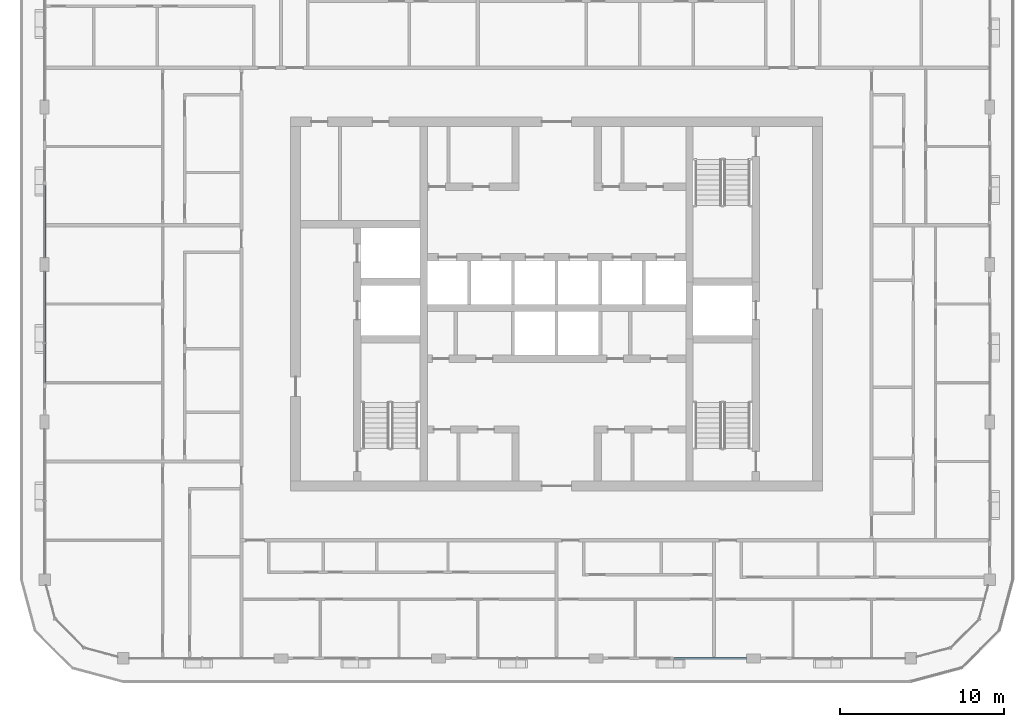
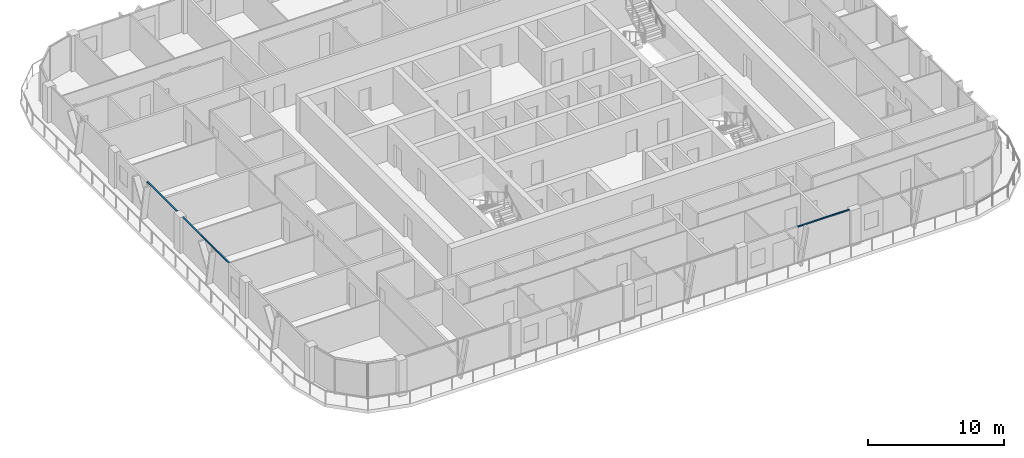
# One storey, part 3 of 21: 3 members, 3 elements without a shape of their own.
"""IFC4 building model written with IfcOpenShell, lengths in metres."""

from ifc_helpers import new_model, si_unit, direction, frame, origin, origin_2d, place, context, subcontext, project, spatial, rectangle, extrude, material, layer, layer_set, material_profile, profile_set, type_object, element, aggregate, save


model = new_model("IFC4")

# Units and contexts
model_context = context("Model", 3, precision=1e-05, world=origin(), true_north=direction((0.0, 1.0)))
body_context = subcontext(model_context, "Body", "Model", "MODEL_VIEW")
ifc_project = project(units=[si_unit("LENGTHUNIT", "METRE"), si_unit("AREAUNIT", "SQUARE_METRE"), si_unit("VOLUMEUNIT", "CUBIC_METRE"), si_unit("PLANEANGLEUNIT", "RADIAN"), si_unit("MASSUNIT", "GRAM", prefix="KILO")], contexts=[model_context])

# Site, building, storey
site_placement = place(None, origin())
site = spatial("IfcSite", under=ifc_project, at=site_placement, CompositionType="ELEMENT")
building_placement = place(site_placement, origin())
building = spatial("IfcBuilding", under=site, at=building_placement, Name="Madar Terraces", CompositionType="ELEMENT")
storey_placement = place(building_placement, frame((0.0, 0.0, 245.699951171875)))
storey = spatial("IfcBuildingStorey", under=building, at=storey_placement, Name="L64", CompositionType="ELEMENT", Elevation=245.699951171875)

# Curtain wall, member
ifc_material_1 = material(Name="Glass, ceramic frit dark grey, with black aluminium frame", Category="aluminium")
ifc_layer = layer(ifc_material_1, 0.199951171875)
ifc_layer_set = layer_set([ifc_layer], Name="Facade curtain wall, fritted glass")
curtain_wall_type = type_object("IfcCurtainWallType", Name="Facade curtain wall, fritted glass", PredefinedType="NOTDEFINED", material=ifc_layer_set)
curtain_wall_1_placement = place(storey_placement, origin())
curtain_wall_1 = element("IfcCurtainWall", 1, at=curtain_wall_1_placement, inside=storey, type_object=curtain_wall_type, Name="Outer skin curtain wall south bay 4", PredefinedType="NOTDEFINED")
ifc_material_2 = material(Name="Aluminium, black anodised", Category="aluminium")
ifc_material_profile = material_profile(ifc_material_2, rectangle(XDim=0.1201171875, YDim=0.06005859375, at=origin_2d()), Name="Facade transom 60x120")
ifc_profile_set = profile_set([ifc_material_profile], Name="Aluminium, black anodised")
member_type = type_object("IfcMemberType", Name="Facade transom 60x120", PredefinedType="USERDEFINED", material=ifc_profile_set)
member_1_placement = place(storey_placement, frame((38.39990234375, 4.800048828125, 3.170166015625), z_axis=(1.0, 0.0, 0.0), x_axis=(0.0, 1.0, 0.0)))
member_1 = element("IfcMember", 2, at=member_1_placement, type_object=member_type, Name="Transom 1", ObjectType="TRANSOM", PredefinedType="USERDEFINED", context=body_context, shape_type="SweptSolid", body=[
    extrude(rectangle(XDim=0.1201171875, YDim=0.06005859375, at=origin_2d()), origin(), (0.0, 0.0, 1.0), 4.375),
])
aggregate(curtain_wall_1, [member_1])

curtain_wall_2_placement = place(storey_placement, origin())
curtain_wall_2 = element("IfcCurtainWall", 3, at=curtain_wall_2_placement, inside=storey, type_object=curtain_wall_type, Name="Outer skin curtain wall west bay 2", PredefinedType="NOTDEFINED")
member_2_placement = place(storey_placement, frame((0.0, 33.60009765625, 3.170166015625), z_axis=(0.0, -1.0, 0.0), x_axis=(1.0, 0.0, 0.0)))
member_2 = element("IfcMember", 4, at=member_2_placement, type_object=member_type, Name="Transom 1", ObjectType="TRANSOM", PredefinedType="USERDEFINED", context=body_context, shape_type="SweptSolid", body=[
    extrude(rectangle(XDim=0.1201171875, YDim=0.06005859375, at=origin_2d()), origin(), (0.0, 0.0, 1.0), 4.375),
])
aggregate(curtain_wall_2, [member_2])

curtain_wall_3_placement = place(storey_placement, origin())
curtain_wall_3 = element("IfcCurtainWall", 5, at=curtain_wall_3_placement, inside=storey, type_object=curtain_wall_type, Name="Outer skin curtain wall west bay 3", PredefinedType="NOTDEFINED")
member_3_placement = place(storey_placement, frame((0.0, 28.375, 3.170166015625), z_axis=(0.0, -1.0, 0.0), x_axis=(1.0, 0.0, 0.0)))
member_3 = element("IfcMember", 6, at=member_3_placement, type_object=member_type, Name="Transom 1", ObjectType="TRANSOM", PredefinedType="USERDEFINED", context=body_context, shape_type="SweptSolid", body=[
    extrude(rectangle(XDim=0.1201171875, YDim=0.06005859375, at=origin_2d()), origin(), (0.0, 0.0, 1.0), 6.77490234375),
])
aggregate(curtain_wall_3, [member_3])

save(model, "model.ifc")
